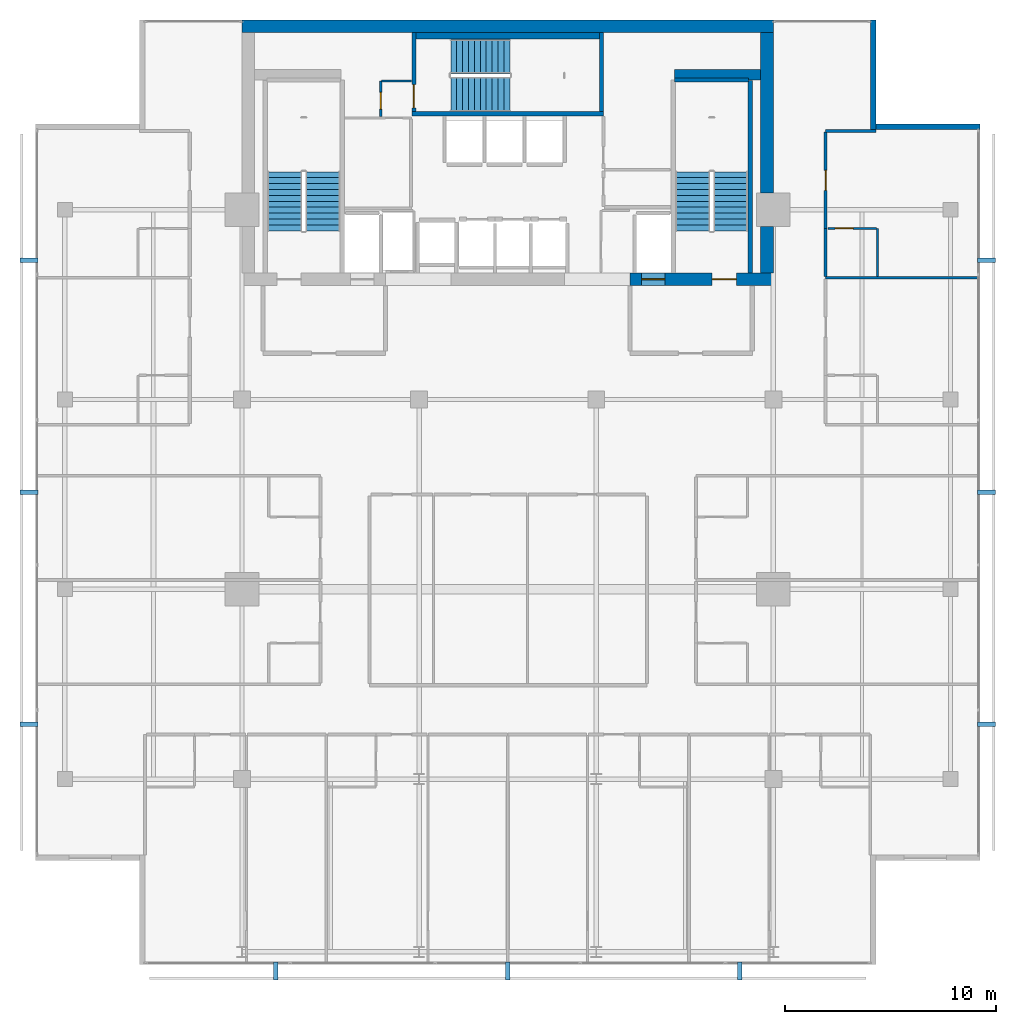
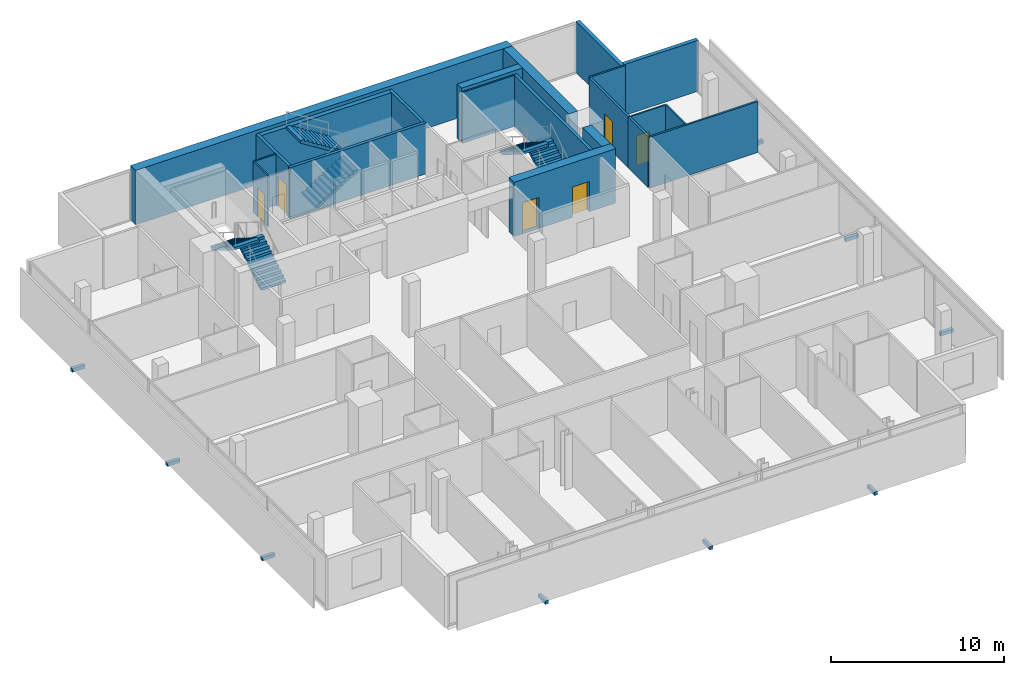
# One storey, part 23 of 25: 21 walls, 9 discrete accessories, 6 doors, 6 stair flights, 6 openings, 3 elements without a shape of their own.
"""IFC4 building model written with IfcOpenShell, lengths in metres."""

from ifc_helpers import new_model, si_unit, direction, frame, frame_2d, origin, origin_2d, place, context, subcontext, project, spatial, polyline, rectangle, outline, extrude, material, layer, layer_set, type_object, element, fill, aggregate, save


model = new_model("IFC4")

# Units and contexts
model_context = context("Model", 3, precision=1e-05, world=origin(), true_north=direction((0.0, 1.0)))
body_context = subcontext(model_context, "Body", "Model", "MODEL_VIEW")
ifc_project = project(units=[si_unit("LENGTHUNIT", "METRE"), si_unit("AREAUNIT", "SQUARE_METRE"), si_unit("VOLUMEUNIT", "CUBIC_METRE"), si_unit("PLANEANGLEUNIT", "RADIAN"), si_unit("MASSUNIT", "GRAM", prefix="KILO")], contexts=[model_context])

# Site, building, storey
site_placement = place(None, origin())
site = spatial("IfcSite", under=ifc_project, at=site_placement, CompositionType="ELEMENT")
building_placement = place(site_placement, origin())
building = spatial("IfcBuilding", under=site, at=building_placement, Name="Maruvema Waterfront Hotel and Observation Tower", CompositionType="ELEMENT")
storey_placement = place(building_placement, frame((0.0, 0.0, 250.949951171875)))
storey = spatial("IfcBuildingStorey", under=building, at=storey_placement, Name="L61", CompositionType="ELEMENT", Elevation=250.949951171875)

# Wall
ifc_material_1 = material(Name="Twin-stud acoustic gypsum drywall", Category="gypsum")
ifc_layer_1 = layer(ifc_material_1, 0.14990234375, Name="Acoustic Corridor and Suite Demising Wall 150 mm")
ifc_layer_set_1 = layer_set([ifc_layer_1], Name="Twin-stud acoustic gypsum drywall")
wall_type_1 = type_object("IfcWallType", Name="Acoustic Corridor and Suite Demising Wall 150 mm", PredefinedType="PARTITIONING", material=ifc_layer_set_1)
wall_1_placement = place(storey_placement, frame((52.8798828125, 41.82861328125, 0.0), z_axis=(0.0, 0.0, 1.0), x_axis=(0.0, 1.0, 0.0)))
element("IfcWall", 1, at=wall_1_placement, inside=storey, type_object=wall_type_1, Name="L61 Bath L61-NE2 Wall 098", PredefinedType="PARTITIONING", context=body_context, shape_type="SweptSolid", body=[
    extrude(rectangle(XDim=2.2900390625, YDim=0.14990234375, at=frame_2d((1.14501953125, 0.0))), origin(), (0.0, 0.0, 1.0), 3.610107421875),
])

# Wall, opening, door
wall_2_placement = place(storey_placement, frame((52.8798828125, 44.11865234375, 0.0), z_axis=(0.0, 0.0, 1.0), x_axis=(0.0, 1.0, 0.0)))
wall_2 = element("IfcWall", 2, at=wall_2_placement, inside=storey, type_object=wall_type_1, Name="L61 Room L61-NE2 Corridor Wall 099", PredefinedType="PARTITIONING", context=body_context, shape_type="SweptSolid", body=[
    extrude(rectangle(XDim=4.558837890625, YDim=0.14990234375, at=frame_2d((2.279296875, 0.0))), origin(), (0.0, 0.0, 1.0), 3.610107421875),
])
opening_1_placement = place(wall_2_placement, frame((1.804443359375, 0.0, 0.0)))
opening_1 = element("IfcOpeningElement", 3, at=opening_1_placement, cuts=wall_2, Name="Opening DR-095", PredefinedType="OPENING", context=body_context, shape_type="SweptSolid", body=[
    extrude(rectangle(XDim=0.949951171875, YDim=2.14990234375, at=frame_2d((0.47509765625, 1.074951171875))), frame((0.0, 0.0849609375, 0.0), z_axis=(0.0, -1.0, 0.0), x_axis=(1.0, 0.0, 0.0)), (0.0, 0.0, 1.0), 0.169921875),
])
ifc_material_2 = material(Name="Acoustic solid-core hardwood timber leaf", Category="wood")
door_type_1 = type_object("IfcDoorType", Name="Guestroom Entrance Fire Door 950x2150 mm", OperationType="NOTDEFINED", PredefinedType="DOOR", material=ifc_material_2)
door_1_placement = place(opening_1_placement, frame((0.949951171875, 0.0, 0.0), z_axis=(0.0, 0.0, 1.0), x_axis=(-1.0, 0.0, 0.0)))
door_1 = element("IfcDoor", 4, at=door_1_placement, inside=storey, type_object=door_type_1, Name="L61 Room L61-NE2 Entrance Door", OperationType="SINGLE_SWING_LEFT", OverallHeight=2.14990234375, OverallWidth=0.949951171875, PredefinedType="DOOR", context=body_context, shape_type="SweptSolid", body=[
    extrude(rectangle(XDim=0.949951171875, YDim=2.14990234375, at=frame_2d((0.47509765625, 1.074951171875))), frame((0.0, 0.02490234375, 0.0), z_axis=(0.0, -1.0, 0.0), x_axis=(1.0, 0.0, 0.0)), (0.0, 0.0, 1.0), 0.050048828125),
])
fill(opening_1, door_1)

# Walls
ifc_material_3 = material(Name="Precast concrete C45/55", Category="concrete")
ifc_layer_2 = layer(ifc_material_3, 0.300048828125, Name="Core Shaft Furring Wall 300 mm")
ifc_layer_set_2 = layer_set([ifc_layer_2], Name="Precast concrete C45/55")
wall_type_2 = type_object("IfcWallType", Name="Core Shaft Furring Wall 300 mm", PredefinedType="SOLIDWALL", material=ifc_layer_set_2)
wall_3_placement = place(storey_placement, frame((33.449951171875, 53.25, 0.0), z_axis=(0.0, 0.0, 1.0), x_axis=(1.0, 0.0, 0.0)))
element("IfcWall", 5, at=wall_3_placement, inside=storey, type_object=wall_type_2, Name="L61 Stairwell ST-02 North Furring Wall", PredefinedType="SOLIDWALL", context=body_context, shape_type="SweptSolid", body=[
    extrude(rectangle(XDim=8.699951171875, YDim=0.300048828125, at=frame_2d((4.35009765625, 0.0))), origin(), (0.0, 0.0, 1.0), 3.610107421875),
])
ifc_material_4 = material(Name="Precast concrete C45/55", Category="concrete")
ifc_layer_3 = layer(ifc_material_4, 0.199951171875, Name="Core Shaft and Stairwell Enclosure Wall 200 mm")
ifc_layer_set_3 = layer_set([ifc_layer_3], Name="Precast concrete C45/55")
wall_type_3 = type_object("IfcWallType", Name="Core Shaft and Stairwell Enclosure Wall 200 mm", PredefinedType="SOLIDWALL", material=ifc_layer_set_3)
wall_4_placement = place(storey_placement, frame((33.25, 49.550048828125, 0.0), z_axis=(0.0, 0.0, 1.0), x_axis=(1.0, 0.0, 0.0)))
element("IfcWall", 6, at=wall_4_placement, inside=storey, type_object=wall_type_3, Name="L61 Stairwell ST-02 Shaft Wall", PredefinedType="SOLIDWALL", context=body_context, shape_type="SweptSolid", body=[
    extrude(rectangle(XDim=9.10009765625, YDim=0.199951171875, at=frame_2d((4.550048828125, 0.0))), origin(), (0.0, 0.0, 1.0), 3.610107421875),
])
wall_5_placement = place(storey_placement, frame((42.25, 49.64990234375, 0.0), z_axis=(0.0, 0.0, 1.0), x_axis=(0.0, 1.0, 0.0)))
element("IfcWall", 7, at=wall_5_placement, inside=storey, type_object=wall_type_3, Name="L61 Stairwell ST-02 Shaft Wall", PredefinedType="SOLIDWALL", context=body_context, shape_type="SweptSolid", body=[
    extrude(rectangle(XDim=3.75, YDim=0.199951171875, at=frame_2d((1.875, 0.0))), origin(), (0.0, 0.0, 1.0), 3.610107421875),
])

# Wall, opening, door
wall_6_placement = place(storey_placement, frame((33.35009765625, 49.64990234375, 0.0), z_axis=(0.0, 0.0, 1.0), x_axis=(0.0, 1.0, 0.0)))
wall_6 = element("IfcWall", 8, at=wall_6_placement, inside=storey, type_object=wall_type_3, Name="L61 Stairwell ST-02 Shaft Wall", PredefinedType="SOLIDWALL", context=body_context, shape_type="SweptSolid", body=[
    extrude(rectangle(XDim=3.75, YDim=0.199951171875, at=frame_2d((1.875, 0.0))), origin(), (0.0, 0.0, 1.0), 3.610107421875),
])
opening_2_placement = place(wall_6_placement, frame((0.179931640625, 0.0, 0.0)))
opening_2 = element("IfcOpeningElement", 9, at=opening_2_placement, cuts=wall_6, Name="Opening SD-02", PredefinedType="OPENING", context=body_context, shape_type="SweptSolid", body=[
    extrude(rectangle(XDim=1.10009765625, YDim=2.14990234375, at=frame_2d((0.550048828125, 1.074951171875))), frame((0.0, 0.10986328125, 0.0), z_axis=(0.0, -1.0, 0.0), x_axis=(1.0, 0.0, 0.0)), (0.0, 0.0, 1.0), 0.219970703125),
])
ifc_material_5 = material(Name="Fire-rated galvanised steel leaf", Category="steel")
door_type_2 = type_object("IfcDoorType", Name="Central Exit Stair Fire Door 1100x2150 mm", OperationType="NOTDEFINED", PredefinedType="DOOR", material=ifc_material_5)
door_2_placement = place(opening_2_placement, frame((1.10009765625, 0.0, 0.0), z_axis=(0.0, 0.0, 1.0), x_axis=(-1.0, 0.0, 0.0)))
door_2 = element("IfcDoor", 10, at=door_2_placement, inside=storey, type_object=door_type_2, Name="L61 Exit Stair ST-02 Fire Door", OperationType="SINGLE_SWING_LEFT", OverallHeight=2.14990234375, OverallWidth=1.10009765625, PredefinedType="DOOR", context=body_context, shape_type="SweptSolid", body=[
    extrude(rectangle(XDim=1.10009765625, YDim=2.14990234375, at=frame_2d((0.550048828125, 1.074951171875))), frame((0.0, 0.02490234375, 0.0), z_axis=(0.0, -1.0, 0.0), x_axis=(1.0, 0.0, 0.0)), (0.0, 0.0, 1.0), 0.050048828125),
])
fill(opening_2, door_2)

# Walls
wall_7_placement = place(storey_placement, frame((49.300048828125, 42.0, 0.0), z_axis=(0.0, 0.0, 1.0), x_axis=(0.0, 1.0, 0.0)))
element("IfcWall", 11, at=wall_7_placement, inside=storey, type_object=wall_type_3, Name="L61 Stairwell ST-03 Shaft Lining Wall", PredefinedType="SOLIDWALL", context=body_context, shape_type="SweptSolid", body=[
    extrude(rectangle(XDim=9.1201171875, YDim=0.199951171875, at=frame_2d((4.56005859375, 0.0))), origin(), (0.0, 0.0, 1.0), 3.610107421875),
])
wall_8_placement = place(storey_placement, frame((45.719970703125, 51.14990234375, 0.0), z_axis=(0.0, 0.0, 1.0), x_axis=(1.0, 0.0, 0.0)))
element("IfcWall", 12, at=wall_8_placement, inside=storey, type_object=wall_type_3, Name="L61 Stairwell ST-03 Shaft Lining Wall", PredefinedType="SOLIDWALL", context=body_context, shape_type="SweptSolid", body=[
    extrude(rectangle(XDim=3.5, YDim=0.199951171875, at=frame_2d((1.75, 0.0))), origin(), (0.0, 0.0, 1.0), 3.610107421875),
])
ifc_material_6 = material(Name="Concrete C70/85", Category="concrete")
ifc_layer_4 = layer(ifc_material_6, 0.5, Name="Core Shear Wall 500 mm")
ifc_layer_set_4 = layer_set([ifc_layer_4], Name="Concrete C70/85")
wall_type_4 = type_object("IfcWallType", Name="Core Shear Wall 500 mm", PredefinedType="SHEAR", material=ifc_layer_set_4)
wall_9_placement = place(storey_placement, frame((45.699951171875, 51.39990234375, 0.0), z_axis=(0.0, 0.0, 1.0), x_axis=(1.0, 0.0, 0.0)))
element("IfcWall", 13, at=wall_9_placement, inside=storey, type_object=wall_type_4, Name="L61 Internal Core Shear Wall NE 500 mm", PredefinedType="SHEAR", context=body_context, shape_type="SweptSolid", body=[
    extrude(rectangle(XDim=4.10009765625, YDim=0.5, at=frame_2d((2.050048828125, 0.0))), origin(), (0.0, 0.0, 1.0), 3.85009765625),
])
ifc_material_7 = material(Name="Concrete C60/75", Category="concrete")
ifc_layer_5 = layer(ifc_material_7, 0.60009765625, Name="Core Shear Wall 600 mm")
ifc_layer_set_5 = layer_set([ifc_layer_5], Name="Concrete C60/75")
wall_type_5 = type_object("IfcWallType", Name="Core Shear Wall 600 mm", PredefinedType="SHEAR", material=ifc_layer_set_5)
wall_10_placement = place(storey_placement, frame((25.199951171875, 53.699951171875, 0.0), z_axis=(0.0, 0.0, 1.0), x_axis=(1.0, 0.0, 0.0)))
element("IfcWall", 14, at=wall_10_placement, inside=storey, type_object=wall_type_5, Name="L61 North Core Shear Wall", PredefinedType="SHEAR", context=body_context, shape_type="SweptSolid", body=[
    extrude(rectangle(XDim=25.199951171875, YDim=0.60009765625, at=frame_2d((12.60009765625, 0.0))), origin(), (0.0, 0.0, 1.0), 3.85009765625),
])

# Wall, openings, doors
wall_11_placement = place(storey_placement, frame((43.60009765625, 41.699951171875, 0.0), z_axis=(0.0, 0.0, 1.0), x_axis=(1.0, 0.0, 0.0)))
wall_11 = element("IfcWall", 15, at=wall_11_placement, inside=storey, type_object=wall_type_5, Name="L61 South-East Core Shear Wall", PredefinedType="SHEAR", context=body_context, shape_type="SweptSolid", body=[
    extrude(rectangle(XDim=6.7998046875, YDim=0.60009765625, at=frame_2d((3.39990234375, 0.0))), origin(), (0.0, 0.0, 1.0), 3.85009765625),
])
opening_3_placement = place(wall_11_placement, frame((3.89990234375, 0.0, 0.0)))
opening_3 = element("IfcOpeningElement", 16, at=opening_3_placement, cuts=wall_11, Name="Opening SD-01", PredefinedType="OPENING", context=body_context, shape_type="SweptSolid", body=[
    extrude(rectangle(XDim=1.14990234375, YDim=2.14990234375, at=frame_2d((0.574951171875, 1.074951171875))), frame((0.0, 0.31005859375, 0.0), z_axis=(0.0, -1.0, 0.0), x_axis=(1.0, 0.0, 0.0)), (0.0, 0.0, 1.0), 0.6201171875),
])
opening_4_placement = place(wall_11_placement, frame((0.550048828125, 0.0, 0.0)))
opening_4 = element("IfcOpeningElement", 17, at=opening_4_placement, cuts=wall_11, Name="Opening LD-03", PredefinedType="OPENING", context=body_context, shape_type="SweptSolid", body=[
    extrude(rectangle(XDim=1.10009765625, YDim=2.199951171875, at=frame_2d((0.550048828125, 1.10009765625))), frame((0.0, 0.31005859375, 0.0), z_axis=(0.0, -1.0, 0.0), x_axis=(1.0, 0.0, 0.0)), (0.0, 0.0, 1.0), 0.6201171875),
])
ifc_material_8 = material(Name="Fire-rated galvanised steel leaf", Category="steel")
door_type_3 = type_object("IfcDoorType", Name="Exit Stair Fire Door 1150x2150 mm", OperationType="NOTDEFINED", PredefinedType="DOOR", material=ifc_material_8)
door_3_placement = place(opening_3_placement, origin())
door_3 = element("IfcDoor", 18, at=door_3_placement, inside=storey, type_object=door_type_3, Name="L61 Exit Stair ST-03 Fire Door", OperationType="SINGLE_SWING_RIGHT", OverallHeight=2.14990234375, OverallWidth=1.14990234375, PredefinedType="DOOR", context=body_context, shape_type="SweptSolid", body=[
    extrude(rectangle(XDim=1.14990234375, YDim=2.14990234375, at=frame_2d((0.574951171875, 1.074951171875))), frame((0.0, 0.02490234375, 0.0), z_axis=(0.0, -1.0, 0.0), x_axis=(1.0, 0.0, 0.0)), (0.0, 0.0, 1.0), 0.050048828125),
])
fill(opening_3, door_3)
ifc_material_9 = material(Name="Brushed stainless steel Grade 316", Category="steel")
door_type_4 = type_object("IfcDoorType", Name="Firefighting Lift Sliding Landing Door 1100x2200 mm", OperationType="SLIDING_TO_LEFT", PredefinedType="DOOR", material=ifc_material_9)
door_4_placement = place(opening_4_placement, frame((1.10009765625, 0.0, 0.0), z_axis=(0.0, 0.0, 1.0), x_axis=(-1.0, 0.0, 0.0)))
door_4 = element("IfcDoor", 19, at=door_4_placement, inside=storey, type_object=door_type_4, Name="L61 Firefighting Lift FL-02 Landing Door", OperationType="SLIDING_TO_LEFT", OverallHeight=2.199951171875, OverallWidth=1.10009765625, PredefinedType="DOOR", context=body_context, shape_type="SweptSolid", body=[
    extrude(rectangle(XDim=1.10009765625, YDim=2.199951171875, at=frame_2d((0.550048828125, 1.10009765625))), frame((0.0, 0.02490234375, 0.0), z_axis=(0.0, -1.0, 0.0), x_axis=(1.0, 0.0, 0.0)), (0.0, 0.0, 1.0), 0.050048828125),
])
fill(opening_4, door_4)

# Walls
wall_12_placement = place(storey_placement, frame((50.10009765625, 42.0, 0.0), z_axis=(0.0, 0.0, 1.0), x_axis=(0.0, 1.0, 0.0)))
element("IfcWall", 20, at=wall_12_placement, inside=storey, type_object=wall_type_5, Name="L61 East-South Core Shear Wall", PredefinedType="SHEAR", context=body_context, shape_type="SweptSolid", body=[
    extrude(rectangle(XDim=2.199951171875, YDim=0.60009765625, at=frame_2d((1.10009765625, 0.0))), origin(), (0.0, 0.0, 1.0), 3.85009765625),
])
wall_13_placement = place(storey_placement, frame((50.10009765625, 45.800048828125, 0.0), z_axis=(0.0, 0.0, 1.0), x_axis=(0.0, 1.0, 0.0)))
element("IfcWall", 21, at=wall_13_placement, inside=storey, type_object=wall_type_5, Name="L61 East-North Core Shear Wall", PredefinedType="SHEAR", context=body_context, shape_type="SweptSolid", body=[
    extrude(rectangle(XDim=7.599853515625, YDim=0.60009765625, at=frame_2d((3.7998046875, 0.0))), origin(), (0.0, 0.0, 1.0), 3.85009765625),
])

# Wall, opening, door
ifc_material_10 = material(Name="Moisture-resistant cement-board drywall", Category="gypsum")
ifc_layer_6 = layer(ifc_material_10, 0.10009765625, Name="En-Suite Moisture-Resistant Partition 100 mm")
ifc_layer_set_6 = layer_set([ifc_layer_6], Name="Moisture-resistant cement-board drywall")
wall_type_6 = type_object("IfcWallType", Name="En-Suite Moisture-Resistant Partition 100 mm", PredefinedType="PARTITIONING", material=ifc_layer_set_6)
wall_14_placement = place(storey_placement, frame((31.780029296875, 49.419921875, 0.0), z_axis=(0.0, 0.0, 1.0), x_axis=(0.0, 1.0, 0.0)))
wall_14 = element("IfcWall", 22, at=wall_14_placement, inside=storey, type_object=wall_type_6, Name="L61 Freed B1 NW East Wall 015", PredefinedType="PARTITIONING", context=body_context, shape_type="SweptSolid", body=[
    extrude(rectangle(XDim=1.68017578125, YDim=0.10009765625, at=frame_2d((0.840087890625, 0.0))), origin(), (0.0, 0.0, 1.0), 3.610107421875),
])
opening_5_placement = place(wall_14_placement, frame((0.35009765625, 0.0, 0.0)))
opening_5 = element("IfcOpeningElement", 23, at=opening_5_placement, cuts=wall_14, Name="Opening DR-080", PredefinedType="OPENING", context=body_context, shape_type="SweptSolid", body=[
    extrude(rectangle(XDim=0.800048828125, YDim=2.050048828125, at=frame_2d((0.39990234375, 1.02490234375))), frame((0.0, 0.06005859375, 0.0), z_axis=(0.0, -1.0, 0.0), x_axis=(1.0, 0.0, 0.0)), (0.0, 0.0, 1.0), 0.1201171875),
])
ifc_material_11 = material(Name="Powder-coated steel access leaf", Category="steel")
door_type_5 = type_object("IfcDoorType", Name="Riser and Service Cupboard Door 800x2050 mm", OperationType="NOTDEFINED", PredefinedType="DOOR", material=ifc_material_11)
door_5_placement = place(opening_5_placement, origin())
door_5 = element("IfcDoor", 24, at=door_5_placement, inside=storey, type_object=door_type_5, Name="L61 Guest Floor Pantry Door", OperationType="SINGLE_SWING_RIGHT", OverallHeight=2.050048828125, OverallWidth=0.800048828125, PredefinedType="DOOR", context=body_context, shape_type="SweptSolid", body=[
    extrude(rectangle(XDim=0.800048828125, YDim=2.050048828125, at=frame_2d((0.39990234375, 1.02490234375))), frame((0.0, 0.02490234375, 0.0), z_axis=(0.0, -1.0, 0.0), x_axis=(1.0, 0.0, 0.0)), (0.0, 0.0, 1.0), 0.050048828125),
])
fill(opening_5, door_5)

# Walls
wall_15_placement = place(storey_placement, frame((31.820068359375, 51.10009765625, 0.0), z_axis=(0.0, 0.0, 1.0), x_axis=(1.0, 0.0, 0.0)))
element("IfcWall", 25, at=wall_15_placement, inside=storey, type_object=wall_type_6, Name="L61 Freed B1 Vestibule North Wall 016", PredefinedType="PARTITIONING", context=body_context, shape_type="SweptSolid", body=[
    extrude(rectangle(XDim=1.419921875, YDim=0.10009765625, at=frame_2d((0.7099609375, 0.0))), origin(), (0.0, 0.0, 1.0), 3.610107421875),
])
wall_16_placement = place(storey_placement, frame((55.330078125, 41.82861328125, 0.0), z_axis=(0.0, 0.0, 1.0), x_axis=(0.0, 1.0, 0.0)))
element("IfcWall", 26, at=wall_16_placement, inside=storey, type_object=wall_type_6, Name="L61 En-Suite L61-NE2 E 100", PredefinedType="PARTITIONING", context=body_context, shape_type="SweptSolid", body=[
    extrude(rectangle(XDim=2.2900390625, YDim=0.10009765625, at=frame_2d((1.14501953125, 0.0))), origin(), (0.0, 0.0, 1.0), 3.610107421875),
])

# Wall, opening, door
wall_17_placement = place(storey_placement, frame((52.97998046875, 44.11865234375, 0.0), z_axis=(0.0, 0.0, 1.0), x_axis=(1.0, 0.0, 0.0)))
wall_17 = element("IfcWall", 27, at=wall_17_placement, inside=storey, type_object=wall_type_6, Name="L61 En-Suite L61-NE2 N 101", PredefinedType="PARTITIONING", context=body_context, shape_type="SweptSolid", body=[
    extrude(rectangle(XDim=2.300048828125, YDim=0.10009765625, at=frame_2d((1.14990234375, 0.0))), origin(), (0.0, 0.0, 1.0), 3.610107421875),
])
opening_6_placement = place(wall_17_placement, frame((0.35009765625, 0.0, 0.0)))
opening_6 = element("IfcOpeningElement", 28, at=opening_6_placement, cuts=wall_17, Name="Opening DR-085", PredefinedType="OPENING", context=body_context, shape_type="SweptSolid", body=[
    extrude(rectangle(XDim=0.85009765625, YDim=2.10009765625, at=frame_2d((0.425048828125, 1.050048828125))), frame((0.0, 0.06005859375, 0.0), z_axis=(0.0, -1.0, 0.0), x_axis=(1.0, 0.0, 0.0)), (0.0, 0.0, 1.0), 0.1201171875),
])
ifc_material_12 = material(Name="Moisture-resistant solid timber leaf", Category="wood")
door_type_6 = type_object("IfcDoorType", Name="En-Suite Bathroom Door 850x2100 mm", OperationType="NOTDEFINED", PredefinedType="DOOR", material=ifc_material_12)
door_6_placement = place(opening_6_placement, origin())
door_6 = element("IfcDoor", 29, at=door_6_placement, inside=storey, type_object=door_type_6, Name="L61 En-Suite L61-NE2 Door", OperationType="SINGLE_SWING_RIGHT", OverallHeight=2.10009765625, OverallWidth=0.85009765625, PredefinedType="DOOR", context=body_context, shape_type="SweptSolid", body=[
    extrude(rectangle(XDim=0.85009765625, YDim=2.10009765625, at=frame_2d((0.425048828125, 1.050048828125))), frame((0.0, 0.02490234375, 0.0), z_axis=(0.0, -1.0, 0.0), x_axis=(1.0, 0.0, 0.0)), (0.0, 0.0, 1.0), 0.050048828125),
])
fill(opening_6, door_6)

# Walls
ifc_material_13 = material(Name="Precast concrete C45/55 with honed Pernambuco granite facing", Category="masonry")
ifc_layer_7 = layer(ifc_material_13, 0.260009765625, Name="Exterior Granite Clad Spandrel and Pier Wall 260 mm")
ifc_layer_set_7 = layer_set([ifc_layer_7], Name="Precast concrete C45/55 with honed Pernambuco granite facing")
wall_type_7 = type_object("IfcWallType", Name="Exterior Granite Clad Spandrel and Pier Wall 260 mm", PredefinedType="SOLIDWALL", material=ifc_layer_set_7)
for number, where, z_axis, x_axis, name in (
    (30, (55.1298828125, 54.0, 0.0), (0.0, 0.0, 1.0), (0.0, -1.0, 0.0), "L61 Corner Notch Granite Pier Wall NE1"),
    (31, (55.0, 48.929931640625, 0.0), (0.0, 0.0, 1.0), (1.0, 0.0, 0.0), "L61 Corner Notch Granite Pier Wall NE2"),
):
    element("IfcWall", number, at=place(storey_placement, frame(where, z_axis=z_axis, x_axis=x_axis)), inside=storey, type_object=wall_type_7, Name=name, PredefinedType="SOLIDWALL", context=body_context, shape_type="SweptSolid", body=[
        extrude(rectangle(XDim=5.199951171875, YDim=0.260009765625, at=frame_2d((2.60009765625, 0.0))), origin(), (0.0, 0.0, 1.0), 3.610107421875),
    ])
ifc_material_14 = material(Name="Acoustic gypsum plasterboard drywall", Category="gypsum")
ifc_layer_8 = layer(ifc_material_14, 0.125, Name="Guestroom Acoustic Demising Wall 125 mm")
ifc_layer_set_8 = layer_set([ifc_layer_8], Name="Acoustic gypsum plasterboard drywall")
wall_type_8 = type_object("IfcWallType", Name="Guestroom Acoustic Demising Wall 125 mm", PredefinedType="PARTITIONING", material=ifc_layer_set_8)
wall_18_placement = place(storey_placement, frame((52.8798828125, 48.737548828125, 0.0), z_axis=(0.0, 0.0, 1.0), x_axis=(1.0, 0.0, 0.0)))
element("IfcWall", 32, at=wall_18_placement, inside=storey, type_object=wall_type_8, Name="L61 Z3 NE Top End 083", PredefinedType="PARTITIONING", context=body_context, shape_type="SweptSolid", body=[
    extrude(rectangle(XDim=2.380126953125, YDim=0.125, at=frame_2d((1.18994140625, 0.0))), origin(), (0.0, 0.0, 1.0), 3.610107421875),
])
wall_19_placement = place(storey_placement, frame((52.8798828125, 41.768798828125, 0.0), z_axis=(0.0, 0.0, 1.0), x_axis=(1.0, 0.0, 0.0)))
element("IfcWall", 33, at=wall_19_placement, inside=storey, type_object=wall_type_8, Name="L61 Z3 NE Demising 2 093", PredefinedType="PARTITIONING", context=body_context, shape_type="SweptSolid", body=[
    extrude(rectangle(XDim=7.22021484375, YDim=0.125, at=frame_2d((3.610107421875, 0.0))), origin(), (0.0, 0.0, 1.0), 3.610107421875),
])

# Stair, stair flights
ifc_material_15 = material(Name="Concrete C50/60", Category="concrete")
stair_type = type_object("IfcStairType", Name="Dogleg Exit Stair 1650 mm (22R x 175.0 mm)", PredefinedType="HALF_TURN_STAIR", material=ifc_material_15)
stair_1_placement = place(storey_placement, origin())
stair_1 = element("IfcStair", 34, at=stair_1_placement, inside=storey, type_object=stair_type, Name="L61 ST-01", PredefinedType="HALF_TURN_STAIR")
ifc_material_16 = material(Name="Concrete C50/60", Category="concrete")
stair_flight_type = type_object("IfcStairFlightType", Name="Reinforced Concrete Stair Flight 1650 mm (11R x 175.0 mm)", PredefinedType="STRAIGHT", material=ifc_material_16)
stair_flight_1_placement = place(storey_placement, frame((29.02490234375, 44.0, 0.0), z_axis=(0.0, 0.0, 1.0), x_axis=(0.0, 1.0, 0.0)))
stair_flight_1 = element("IfcStairFlight", 35, at=stair_flight_1_placement, type_object=stair_flight_type, Name="ST-01 flight 1", NumberOfRisers=11, NumberOfTreads=10, PredefinedType="STRAIGHT", RiserHeight=0.175, TreadLength=0.28, context=body_context, shape_type="SweptSolid", body=[
    extrude(outline(polyline([(0.0, 0.0), (0.0, 0.175048828125), (0.280029296875, 0.175048828125), (0.280029296875, 0.35009765625), (0.56005859375, 0.35009765625), (0.56005859375, 0.52490234375), (0.840087890625, 0.52490234375), (0.840087890625, 0.699951171875), (1.1201171875, 0.699951171875), (1.1201171875, 0.875), (1.39990234375, 0.875), (1.39990234375, 1.050048828125), (1.679931640625, 1.050048828125), (1.679931640625, 1.22509765625), (1.9599609375, 1.22509765625), (1.9599609375, 1.39990234375), (2.239990234375, 1.39990234375), (2.239990234375, 1.574951171875), (2.52001953125, 1.574951171875), (2.52001953125, 1.75), (2.800048828125, 1.75), (2.800048828125, 1.925048828125), (2.800048828125, 1.5732421875), (0.28271484375, 0.0), (0.0, 0.0)])), frame((0.0, 0.824951171875, 0.0), z_axis=(0.0, -1.0, 0.0), x_axis=(1.0, 0.0, 0.0)), (0.0, 0.0, 1.0), 1.64990234375),
])
stair_flight_2_placement = place(storey_placement, frame((27.22509765625, 46.800048828125, 1.925048828125), z_axis=(0.0, 0.0, 1.0), x_axis=(0.0, -1.0, 0.0)))
stair_flight_2 = element("IfcStairFlight", 36, at=stair_flight_2_placement, type_object=stair_flight_type, Name="ST-01 flight 2", NumberOfRisers=11, NumberOfTreads=10, PredefinedType="STRAIGHT", RiserHeight=0.175, TreadLength=0.28, context=body_context, shape_type="SweptSolid", body=[
    extrude(outline(polyline([(0.0, 0.0), (0.0, 0.175048828125), (0.280029296875, 0.175048828125), (0.280029296875, 0.35009765625), (0.56005859375, 0.35009765625), (0.56005859375, 0.52490234375), (0.840087890625, 0.52490234375), (0.840087890625, 0.699951171875), (1.1201171875, 0.699951171875), (1.1201171875, 0.875), (1.39990234375, 0.875), (1.39990234375, 1.050048828125), (1.679931640625, 1.050048828125), (1.679931640625, 1.22509765625), (1.9599609375, 1.22509765625), (1.9599609375, 1.39990234375), (2.239990234375, 1.39990234375), (2.239990234375, 1.574951171875), (2.52001953125, 1.574951171875), (2.52001953125, 1.75), (2.800048828125, 1.75), (2.800048828125, 1.925048828125), (2.800048828125, 1.5732421875), (0.28271484375, 0.0), (0.0, 0.0)])), frame((0.0, 0.824951171875, 0.0), z_axis=(0.0, -1.0, 0.0), x_axis=(1.0, 0.0, 0.0)), (0.0, 0.0, 1.0), 1.64990234375),
])
aggregate(stair_1, [stair_flight_1, stair_flight_2])

stair_2_placement = place(storey_placement, origin())
stair_2 = element("IfcStair", 37, at=stair_2_placement, inside=storey, type_object=stair_type, Name="L61 ST-02", PredefinedType="HALF_TURN_STAIR")
stair_flight_3_placement = place(storey_placement, frame((35.10009765625, 50.47509765625, 0.0), z_axis=(0.0, 0.0, 1.0), x_axis=(1.0, 0.0, 0.0)))
stair_flight_3 = element("IfcStairFlight", 38, at=stair_flight_3_placement, type_object=stair_flight_type, Name="ST-02 flight 1", NumberOfRisers=11, NumberOfTreads=10, PredefinedType="STRAIGHT", RiserHeight=0.175, TreadLength=0.28, context=body_context, shape_type="SweptSolid", body=[
    extrude(outline(polyline([(0.0, 0.0), (0.0, 0.175048828125), (0.280029296875, 0.175048828125), (0.280029296875, 0.35009765625), (0.56005859375, 0.35009765625), (0.56005859375, 0.52490234375), (0.840087890625, 0.52490234375), (0.840087890625, 0.699951171875), (1.1201171875, 0.699951171875), (1.1201171875, 0.875), (1.39990234375, 0.875), (1.39990234375, 1.050048828125), (1.679931640625, 1.050048828125), (1.679931640625, 1.22509765625), (1.9599609375, 1.22509765625), (1.9599609375, 1.39990234375), (2.239990234375, 1.39990234375), (2.239990234375, 1.574951171875), (2.52001953125, 1.574951171875), (2.52001953125, 1.75), (2.800048828125, 1.75), (2.800048828125, 1.925048828125), (2.800048828125, 1.5732421875), (0.28271484375, 0.0), (0.0, 0.0)])), frame((0.0, 0.824951171875, 0.0), z_axis=(0.0, -1.0, 0.0), x_axis=(1.0, 0.0, 0.0)), (0.0, 0.0, 1.0), 1.64990234375),
])
stair_flight_4_placement = place(storey_placement, frame((37.89990234375, 52.27490234375, 1.925048828125), z_axis=(0.0, 0.0, 1.0), x_axis=(-1.0, 0.0, 0.0)))
stair_flight_4 = element("IfcStairFlight", 39, at=stair_flight_4_placement, type_object=stair_flight_type, Name="ST-02 flight 2", NumberOfRisers=11, NumberOfTreads=10, PredefinedType="STRAIGHT", RiserHeight=0.175, TreadLength=0.28, context=body_context, shape_type="SweptSolid", body=[
    extrude(outline(polyline([(0.0, 0.0), (0.0, 0.175048828125), (0.280029296875, 0.175048828125), (0.280029296875, 0.35009765625), (0.56005859375, 0.35009765625), (0.56005859375, 0.52490234375), (0.840087890625, 0.52490234375), (0.840087890625, 0.699951171875), (1.1201171875, 0.699951171875), (1.1201171875, 0.875), (1.39990234375, 0.875), (1.39990234375, 1.050048828125), (1.679931640625, 1.050048828125), (1.679931640625, 1.22509765625), (1.9599609375, 1.22509765625), (1.9599609375, 1.39990234375), (2.239990234375, 1.39990234375), (2.239990234375, 1.574951171875), (2.52001953125, 1.574951171875), (2.52001953125, 1.75), (2.800048828125, 1.75), (2.800048828125, 1.925048828125), (2.800048828125, 1.5732421875), (0.28271484375, 0.0), (0.0, 0.0)])), frame((0.0, 0.824951171875, 0.0), z_axis=(0.0, -1.0, 0.0), x_axis=(1.0, 0.0, 0.0)), (0.0, 0.0, 1.0), 1.64990234375),
])
aggregate(stair_2, [stair_flight_3, stair_flight_4])

stair_3_placement = place(storey_placement, origin())
stair_3 = element("IfcStair", 40, at=stair_3_placement, inside=storey, type_object=stair_type, Name="L61 ST-03", PredefinedType="HALF_TURN_STAIR")
stair_flight_5_placement = place(storey_placement, frame((48.375, 44.0, 0.0), z_axis=(0.0, 0.0, 1.0), x_axis=(0.0, 1.0, 0.0)))
stair_flight_5 = element("IfcStairFlight", 41, at=stair_flight_5_placement, type_object=stair_flight_type, Name="ST-03 flight 1", NumberOfRisers=11, NumberOfTreads=10, PredefinedType="STRAIGHT", RiserHeight=0.175, TreadLength=0.28, context=body_context, shape_type="SweptSolid", body=[
    extrude(outline(polyline([(0.0, 0.0), (0.0, 0.175048828125), (0.280029296875, 0.175048828125), (0.280029296875, 0.35009765625), (0.56005859375, 0.35009765625), (0.56005859375, 0.52490234375), (0.840087890625, 0.52490234375), (0.840087890625, 0.699951171875), (1.1201171875, 0.699951171875), (1.1201171875, 0.875), (1.39990234375, 0.875), (1.39990234375, 1.050048828125), (1.679931640625, 1.050048828125), (1.679931640625, 1.22509765625), (1.9599609375, 1.22509765625), (1.9599609375, 1.39990234375), (2.239990234375, 1.39990234375), (2.239990234375, 1.574951171875), (2.52001953125, 1.574951171875), (2.52001953125, 1.75), (2.800048828125, 1.75), (2.800048828125, 1.925048828125), (2.800048828125, 1.5732421875), (0.28271484375, 0.0), (0.0, 0.0)])), frame((0.0, 0.824951171875, 0.0), z_axis=(0.0, -1.0, 0.0), x_axis=(1.0, 0.0, 0.0)), (0.0, 0.0, 1.0), 1.64990234375),
])
stair_flight_6_placement = place(storey_placement, frame((46.574951171875, 46.800048828125, 1.925048828125), z_axis=(0.0, 0.0, 1.0), x_axis=(0.0, -1.0, 0.0)))
stair_flight_6 = element("IfcStairFlight", 42, at=stair_flight_6_placement, type_object=stair_flight_type, Name="ST-03 flight 2", NumberOfRisers=11, NumberOfTreads=10, PredefinedType="STRAIGHT", RiserHeight=0.175, TreadLength=0.28, context=body_context, shape_type="SweptSolid", body=[
    extrude(outline(polyline([(0.0, 0.0), (0.0, 0.175048828125), (0.280029296875, 0.175048828125), (0.280029296875, 0.35009765625), (0.56005859375, 0.35009765625), (0.56005859375, 0.52490234375), (0.840087890625, 0.52490234375), (0.840087890625, 0.699951171875), (1.1201171875, 0.699951171875), (1.1201171875, 0.875), (1.39990234375, 0.875), (1.39990234375, 1.050048828125), (1.679931640625, 1.050048828125), (1.679931640625, 1.22509765625), (1.9599609375, 1.22509765625), (1.9599609375, 1.39990234375), (2.239990234375, 1.39990234375), (2.239990234375, 1.574951171875), (2.52001953125, 1.574951171875), (2.52001953125, 1.75), (2.800048828125, 1.75), (2.800048828125, 1.925048828125), (2.800048828125, 1.5732421875), (0.28271484375, 0.0), (0.0, 0.0)])), frame((0.0, 0.824951171875, 0.0), z_axis=(0.0, -1.0, 0.0), x_axis=(1.0, 0.0, 0.0)), (0.0, 0.0, 1.0), 1.64990234375),
])
aggregate(stair_3, [stair_flight_5, stair_flight_6])

# Discrete accessories
ifc_material_17 = material(Name="Duplex stainless steel Grade 2205", Category="steel")
discrete_accessory_type = type_object("IfcDiscreteAccessoryType", Name="Double-Skin Cavity Stainless Outrigger Bracket", PredefinedType="BRACKET", material=ifc_material_17)
for number, where, z_axis, x_axis, name in (
    (43, (26.7919921875, 8.89990234375, -0.14013671875), (0.0, 0.0, 1.0), (1.0, 0.0, 0.0), "L61 Outer Skin Support Bracket 1"),
    (44, (37.800048828125, 8.89990234375, -0.14013671875), (0.0, 0.0, 1.0), (1.0, 0.0, 0.0), "L61 Outer Skin Support Bracket 2"),
    (45, (48.80810546875, 8.89990234375, -0.14013671875), (0.0, 0.0, 1.0), (1.0, 0.0, 0.0), "L61 Outer Skin Support Bracket 3"),
    (46, (60.5, 20.592041015625, -0.14013671875), (0.0, 0.0, 1.0), (0.0, 1.0, 0.0), "L61 Outer Skin Support Bracket 1"),
    (47, (60.5, 31.60009765625, -0.14013671875), (0.0, 0.0, 1.0), (0.0, 1.0, 0.0), "L61 Outer Skin Support Bracket 2"),
    (48, (60.5, 42.60791015625, -0.14013671875), (0.0, 0.0, 1.0), (0.0, 1.0, 0.0), "L61 Outer Skin Support Bracket 3"),
    (49, (15.10009765625, 42.60791015625, -0.14013671875), (0.0, 0.0, 1.0), (0.0, -1.0, 0.0), "L61 Outer Skin Support Bracket 1"),
    (50, (15.10009765625, 31.60009765625, -0.14013671875), (0.0, 0.0, 1.0), (0.0, -1.0, 0.0), "L61 Outer Skin Support Bracket 2"),
    (51, (15.10009765625, 20.592041015625, -0.14013671875), (0.0, 0.0, 1.0), (0.0, -1.0, 0.0), "L61 Outer Skin Support Bracket 3"),
):
    element("IfcDiscreteAccessory", number, at=place(storey_placement, frame(where, z_axis=z_axis, x_axis=x_axis)), inside=storey, type_object=discrete_accessory_type, Name=name, PredefinedType="BRACKET", context=body_context, shape_type="SweptSolid", body=[
        extrude(rectangle(XDim=0.219970703125, YDim=0.860107421875, at=origin_2d()), origin(), (0.0, 0.0, 1.0), 0.239990234375),
    ])

save(model, "model.ifc")
